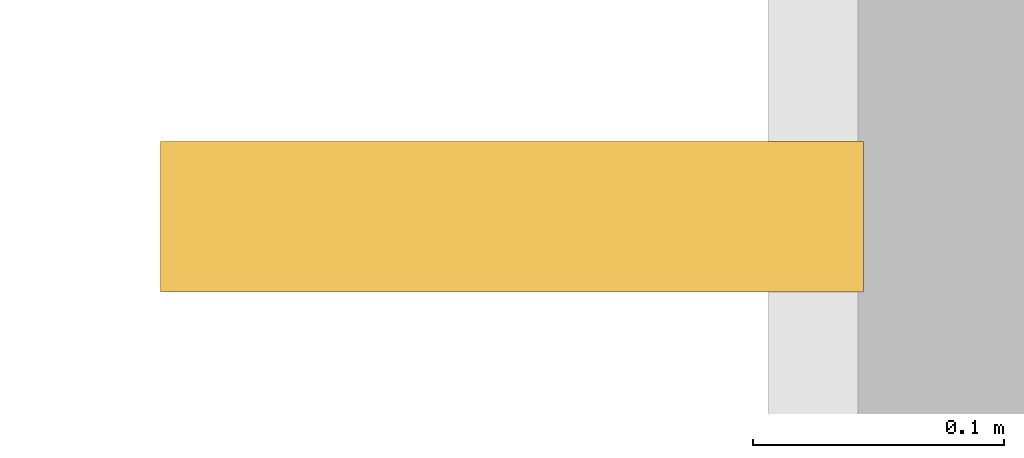
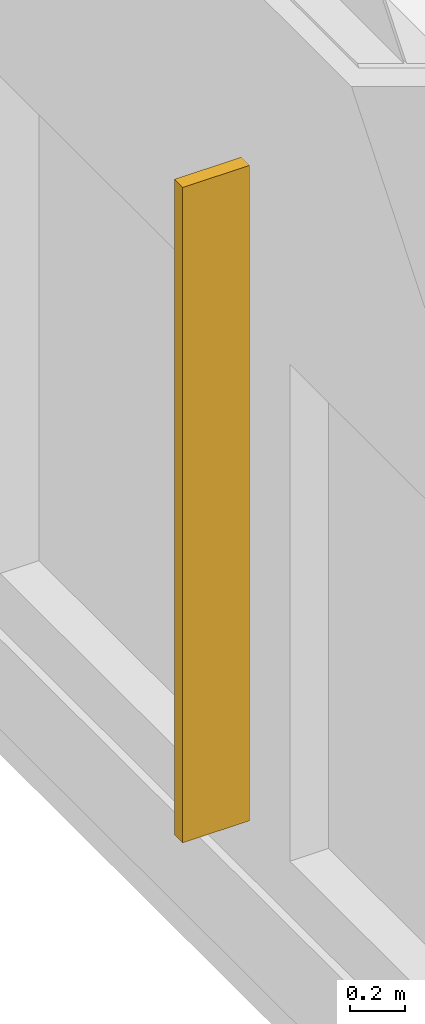
# One storey, part 101 of 109: 1 shading device.
"""IFC4 building model written with IfcOpenShell, lengths in metres."""

from ifc_helpers import new_model, si_unit, direction, frame, origin, origin_2d, place, context, subcontext, project, spatial, rectangle, extrude, material, type_object, element, save


model = new_model("IFC4")

# Units and contexts
model_context = context("Model", 3, precision=1e-05, world=origin(), true_north=direction((0.0, 1.0)))
body_context = subcontext(model_context, "Body", "Model", "MODEL_VIEW")
ifc_project = project(units=[si_unit("LENGTHUNIT", "METRE"), si_unit("AREAUNIT", "SQUARE_METRE"), si_unit("VOLUMEUNIT", "CUBIC_METRE"), si_unit("PLANEANGLEUNIT", "RADIAN"), si_unit("MASSUNIT", "GRAM", prefix="KILO")], contexts=[model_context])

# Site, building, storey
site_placement = place(None, origin())
site = spatial("IfcSite", under=ifc_project, at=site_placement, CompositionType="ELEMENT")
building_placement = place(site_placement, origin())
building = spatial("IfcBuilding", under=site, at=building_placement, Name="Montecoro Central Library", CompositionType="ELEMENT")
storey_placement = place(building_placement, origin())
storey = spatial("IfcBuildingStorey", under=building, at=storey_placement, Name="L00", CompositionType="ELEMENT", Elevation=0.0)

# Shading device
ifc_material = material(Name="Architectural bronze solar fin", Category="aluminium")
shading_device_type = type_object("IfcShadingDeviceType", Name="SHD-FIN-01", PredefinedType="USERDEFINED", material=ifc_material)
shading_device_placement = place(storey_placement, frame((66.069580078125, 92.39990234375, 0.800048828125), z_axis=(0.0, 0.0, 1.0), x_axis=(0.0, -1.0, 0.0)))
element("IfcShadingDevice", 1, at=shading_device_placement, inside=storey, type_object=shading_device_type, Name="V2-L00-FIN-W1", ObjectType="SOLAR FIN", PredefinedType="USERDEFINED", context=body_context, shape_type="SweptSolid", body=[
    extrude(rectangle(XDim=0.06005859375, YDim=0.280029296875, at=origin_2d()), origin(), (0.0, 0.0, 1.0), 2.89990234375),
])

save(model, "model.ifc")
